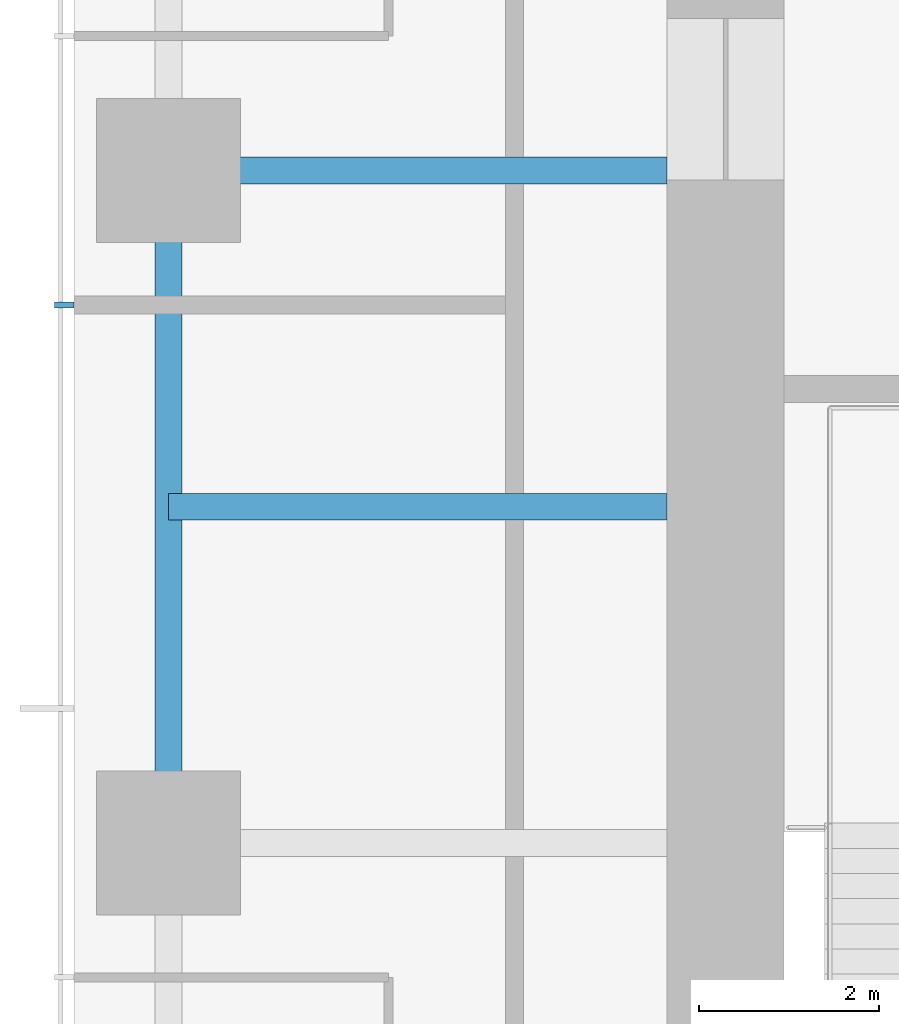
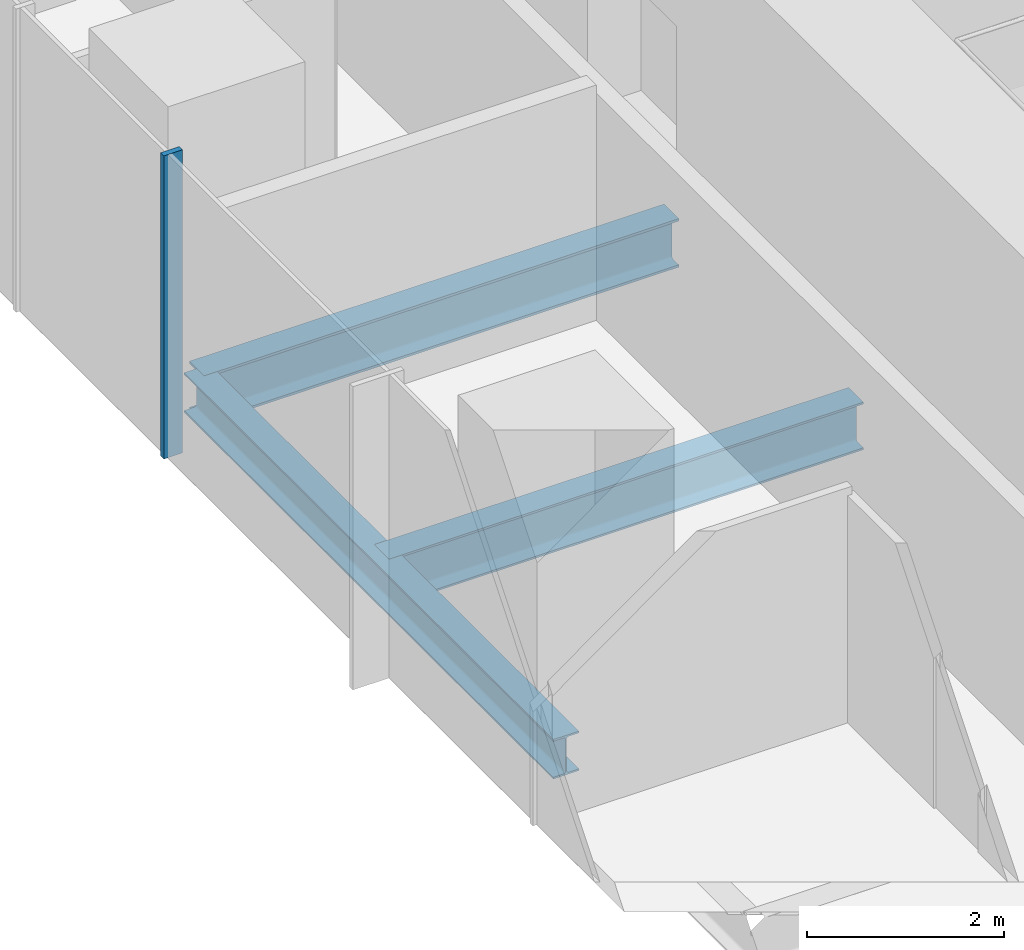
# One storey, part 3 of 12: 3 beams, 1 member, 1 element without a shape of its own.
"""IFC4 building model written with IfcOpenShell, lengths in metres."""

from ifc_helpers import new_model, si_unit, direction, frame, origin, origin_2d, place, context, subcontext, project, spatial, rectangle, i_section, extrude, material, material_profile, profile_set, type_object, element, aggregate, save


model = new_model("IFC4")

# Units and contexts
model_context = context("Model", 3, precision=1e-05, world=origin(), true_north=direction((0.0, 1.0)))
body_context = subcontext(model_context, "Body", "Model", "MODEL_VIEW")
ifc_project = project(units=[si_unit("LENGTHUNIT", "METRE"), si_unit("AREAUNIT", "SQUARE_METRE"), si_unit("VOLUMEUNIT", "CUBIC_METRE"), si_unit("PLANEANGLEUNIT", "RADIAN"), si_unit("MASSUNIT", "GRAM", prefix="KILO")], contexts=[model_context])

# Site, building, storey
site_placement = place(None, origin())
site = spatial("IfcSite", under=ifc_project, at=site_placement, CompositionType="ELEMENT")
building_placement = place(site_placement, origin())
building = spatial("IfcBuilding", under=site, at=building_placement, Name="Khuree Lantern Residences", CompositionType="ELEMENT")
storey_placement = place(building_placement, frame((0.0, 0.0, 345.75)))
storey = spatial("IfcBuildingStorey", under=building, at=storey_placement, Name="L87", CompositionType="ELEMENT", Elevation=345.75)

# Beams
ifc_material_1 = material(Name="Steel S355", Category="steel")
ifc_material_profile_1 = material_profile(ifc_material_1, i_section(OverallWidth=0.300048828125, OverallDepth=0.590087890625, WebThickness=0.012939453125, FlangeThickness=0.02490234375, FilletRadius=0.027099609375, at=origin_2d()), Name="HE 600 A")
ifc_profile_set_1 = profile_set([ifc_material_profile_1], Name="Steel S355")
beam_type_1 = type_object("IfcBeamType", Name="B-45 SECONDARY BEAM HE 600 A", PredefinedType="BEAM", material=ifc_profile_set_1)
beam_1_placement = place(storey_placement, frame((-21.699951171875, 3.739990234375, -0.544921875), z_axis=(1.0, 0.0, 0.0), x_axis=(0.0, 1.0, 0.0)))
element("IfcBeam", 1, at=beam_1_placement, inside=storey, type_object=beam_type_1, Name="Secondary beam W4", PredefinedType="BEAM", context=body_context, shape_type="SweptSolid", body=[
    extrude(i_section(OverallWidth=0.300048828125, OverallDepth=0.590087890625, WebThickness=0.012939453125, FlangeThickness=0.02490234375, FilletRadius=0.027099609375, at=origin_2d()), origin(), (0.0, 0.0, 1.0), 5.550048828125),
])
ifc_material_profile_2 = material_profile(ifc_material_1, i_section(OverallWidth=0.300048828125, OverallDepth=0.489990234375, WebThickness=0.011962890625, FlangeThickness=0.02294921875, FilletRadius=0.027099609375, at=origin_2d()), Name="HE 500 A")
ifc_profile_set_2 = profile_set([ifc_material_profile_2], Name="Steel S355")
beam_type_2 = type_object("IfcBeamType", Name="E-45 SPANDREL BEAM HE 500 A", PredefinedType="SPANDREL", material=ifc_profile_set_2)
beam_2_placement = place(storey_placement, frame((-21.699951171875, 0.0, -0.4951171875), z_axis=(0.0, 1.0, 0.0), x_axis=(-1.0, 0.0, 0.0)))
element("IfcBeam", 2, at=beam_2_placement, inside=storey, type_object=beam_type_2, Name="Spandrel beam W4", PredefinedType="SPANDREL", context=body_context, shape_type="SweptSolid", body=[
    extrude(i_section(OverallWidth=0.300048828125, OverallDepth=0.489990234375, WebThickness=0.011962890625, FlangeThickness=0.02294921875, FilletRadius=0.027099609375, at=origin_2d()), origin(), (0.0, 0.0, 1.0), 7.47998046875),
])
ifc_material_profile_3 = material_profile(ifc_material_1, i_section(OverallWidth=0.300048828125, OverallDepth=0.60009765625, WebThickness=0.015380859375, FlangeThickness=0.030029296875, FilletRadius=0.027099609375, at=origin_2d()), Name="HE 600 B")
ifc_profile_set_3 = profile_set([ifc_material_profile_3], Name="Steel S355")
beam_type_3 = type_object("IfcBeamType", Name="G-45 GIRDER HE 600 B", PredefinedType="BEAM", material=ifc_profile_set_3)
beam_3_placement = place(storey_placement, frame((-21.699951171875, 7.47998046875, -0.550048828125), z_axis=(1.0, 0.0, 0.0), x_axis=(0.0, 1.0, 0.0)))
element("IfcBeam", 3, at=beam_3_placement, inside=storey, type_object=beam_type_3, Name="Girder W4", PredefinedType="BEAM", context=body_context, shape_type="SweptSolid", body=[
    extrude(i_section(OverallWidth=0.300048828125, OverallDepth=0.60009765625, WebThickness=0.015380859375, FlangeThickness=0.030029296875, FilletRadius=0.027099609375, at=origin_2d()), origin(), (0.0, 0.0, 1.0), 5.550048828125),
])

# Curtain wall, member
ifc_material_2 = material(Name="Bronze anodised aluminium", Category="aluminium")
curtain_wall_type = type_object("IfcCurtainWallType", Name="CW-T1 TOWER FACE CURTAIN WALL", PredefinedType="USERDEFINED", material=ifc_material_2)
curtain_wall_placement = place(storey_placement, origin())
curtain_wall = element("IfcCurtainWall", 4, at=curtain_wall_placement, inside=storey, type_object=curtain_wall_type, Name="L87 WEST FACE CURTAIN WALL", ObjectType="Stick-built curtain wall", PredefinedType="USERDEFINED")
ifc_material_profile_4 = material_profile(ifc_material_2, rectangle(XDim=0.06494140625, YDim=0.219970703125, at=origin_2d()), Name="M1 65X220")
ifc_profile_set_4 = profile_set([ifc_material_profile_4], Name="Bronze anodised aluminium")
member_type = type_object("IfcMemberType", Name="M1 BRONZE MULLION TOWER 65X220", PredefinedType="MULLION", material=ifc_profile_set_4)
member_placement = place(storey_placement, frame((-22.860107421875, 5.98388671875, 0.0), z_axis=(0.0, 0.0, 1.0), x_axis=(0.0, -1.0, 0.0)))
member = element("IfcMember", 5, at=member_placement, type_object=member_type, Name="L87 WEST FACE MULLION 36", PredefinedType="MULLION", context=body_context, shape_type="SweptSolid", body=[
    extrude(rectangle(XDim=0.06494140625, YDim=0.219970703125, at=origin_2d()), origin(), (0.0, 0.0, 1.0), 3.75),
])
aggregate(curtain_wall, [member])

save(model, "model.ifc")
